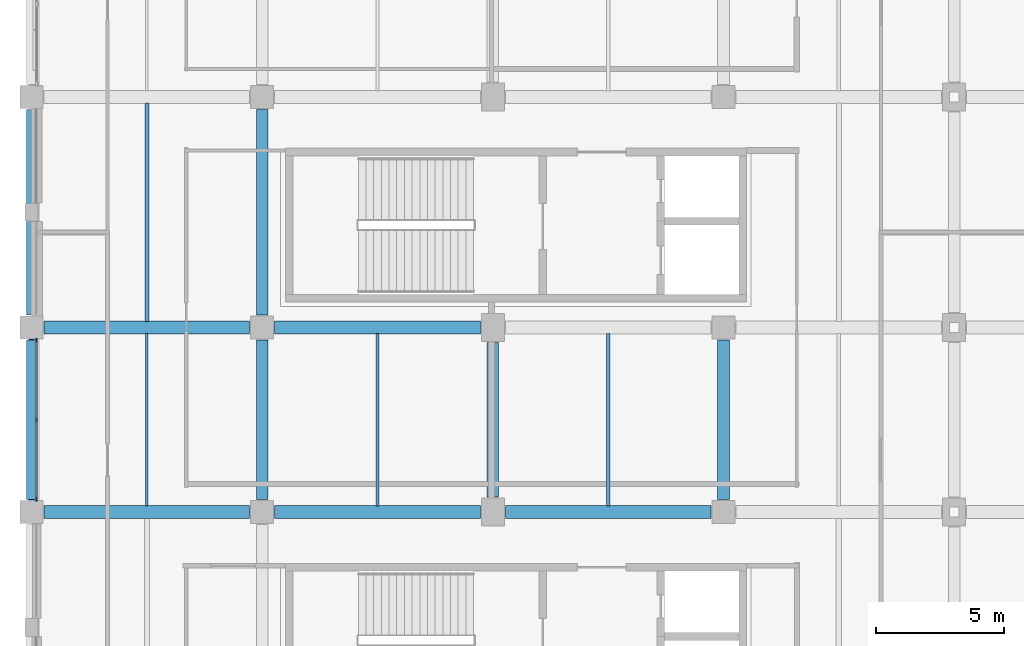
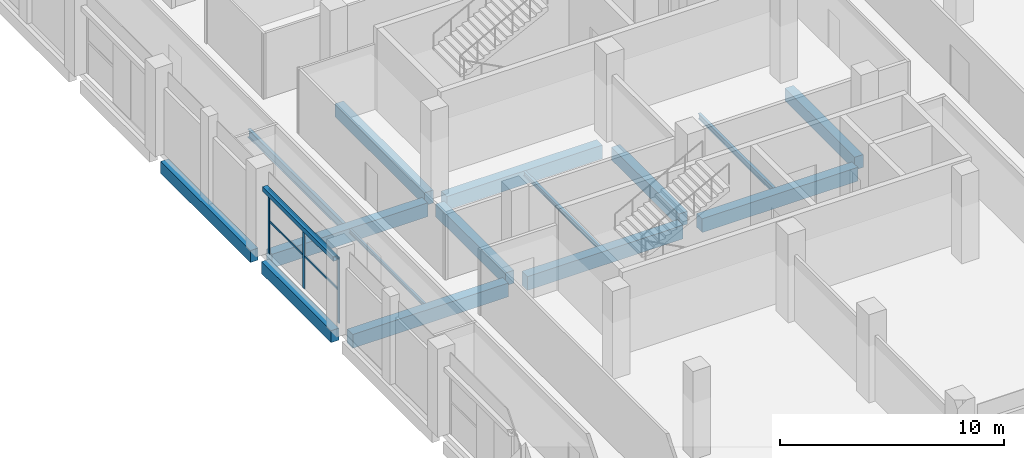
# One storey, part 9 of 82: 15 beams, 6 members, 1 element without a shape of its own.
"""IFC4 building model written with IfcOpenShell, lengths in metres."""

from ifc_helpers import new_model, si_unit, direction, frame, origin, origin_2d, place, context, subcontext, project, spatial, rectangle, hollow_rectangle, i_section, extrude, material, material_profile, profile_set, type_object, element, aggregate, save


model = new_model("IFC4")

# Units and contexts
model_context = context("Model", 3, precision=1e-05, world=origin(), true_north=direction((0.0, 1.0)))
body_context = subcontext(model_context, "Body", "Model", "MODEL_VIEW")
ifc_project = project(units=[si_unit("LENGTHUNIT", "METRE"), si_unit("AREAUNIT", "SQUARE_METRE"), si_unit("VOLUMEUNIT", "CUBIC_METRE"), si_unit("PLANEANGLEUNIT", "RADIAN"), si_unit("MASSUNIT", "GRAM", prefix="KILO"), si_unit("THERMODYNAMICTEMPERATUREUNIT", "KELVIN"), si_unit("POWERUNIT", "WATT")], contexts=[model_context])

# Site, building, storey
site_placement = place(None, origin())
site = spatial("IfcSite", under=ifc_project, at=site_placement, CompositionType="ELEMENT")
building_placement = place(site_placement, origin())
building = spatial("IfcBuilding", under=site, at=building_placement, Name="Sindhuravela Promenade Stadium", CompositionType="ELEMENT")
storey_placement = place(building_placement, frame((0.0, 0.0, 14.39990234375)))
storey = spatial("IfcBuildingStorey", under=building, at=storey_placement, Name="L03", CompositionType="ELEMENT", Elevation=14.39990234375)

# Curtain wall, members
ifc_material_1 = material(Name="Anodised architectural aluminium 6063-T6", Category="aluminium")
curtain_wall_type = type_object("IfcCurtainWallType", Name="CW-MOD-6", PredefinedType="NOTDEFINED", material=ifc_material_1)
curtain_wall_placement = place(storey_placement, origin())
curtain_wall = element("IfcCurtainWall", 1, at=curtain_wall_placement, inside=storey, type_object=curtain_wall_type, Name="Bronze curtain wall CW-WEST-L03-029", PredefinedType="NOTDEFINED")
ifc_material_profile_1 = material_profile(ifc_material_1, rectangle(XDim=0.054931640625, YDim=0.14990234375, at=origin_2d()), Name="ALU M55x150")
ifc_profile_set_1 = profile_set([ifc_material_profile_1], Name="Anodised architectural aluminium 6063-T6")
member_type_1 = type_object("IfcMemberType", Name="CW-MUL-6", PredefinedType="MULLION", material=ifc_profile_set_1)
member_1_placement = place(storey_placement, frame((0.199951171875, 61.699951171875, 0.0), z_axis=(0.0, 0.0, 1.0), x_axis=(1.0, 0.0, 0.0)))
member_1 = element("IfcMember", 2, at=member_1_placement, type_object=member_type_1, Name="Curtain wall mullion CW-WEST-L03-029-M1", PredefinedType="MULLION", context=body_context, shape_type="SweptSolid", body=[
    extrude(rectangle(XDim=0.054931640625, YDim=0.14990234375, at=origin_2d()), origin(), (0.0, 0.0, 1.0), 3.580078125),
])
member_2_placement = place(storey_placement, frame((0.199951171875, 64.800048828125, 0.0), z_axis=(0.0, 0.0, 1.0), x_axis=(1.0, 0.0, 0.0)))
member_2 = element("IfcMember", 3, at=member_2_placement, type_object=member_type_1, Name="Curtain wall mullion CW-WEST-L03-029-M2", PredefinedType="MULLION", context=body_context, shape_type="SweptSolid", body=[
    extrude(rectangle(XDim=0.054931640625, YDim=0.14990234375, at=origin_2d()), origin(), (0.0, 0.0, 1.0), 3.580078125),
])
member_3_placement = place(storey_placement, frame((0.199951171875, 67.89990234375, 0.0), z_axis=(0.0, 0.0, 1.0), x_axis=(1.0, 0.0, 0.0)))
member_3 = element("IfcMember", 4, at=member_3_placement, type_object=member_type_1, Name="Curtain wall mullion CW-WEST-L03-029-M3", PredefinedType="MULLION", context=body_context, shape_type="SweptSolid", body=[
    extrude(rectangle(XDim=0.054931640625, YDim=0.14990234375, at=origin_2d()), origin(), (0.0, 0.0, 1.0), 3.580078125),
])
ifc_material_profile_2 = material_profile(ifc_material_1, rectangle(XDim=0.054931640625, YDim=0.10498046875, at=origin_2d()), Name="ALU T55x105")
ifc_profile_set_2 = profile_set([ifc_material_profile_2], Name="Anodised architectural aluminium 6063-T6")
member_type_2 = type_object("IfcMemberType", Name="CW-TRN-6", PredefinedType="USERDEFINED", material=ifc_profile_set_2)
member_4_placement = place(storey_placement, frame((0.199951171875, 61.675048828125, 1.7900390625), z_axis=(0.0, 1.0, 0.0), x_axis=(-1.0, 0.0, 0.0)))
member_4 = element("IfcMember", 5, at=member_4_placement, type_object=member_type_2, Name="Curtain wall transom CW-WEST-L03-029-T1", ObjectType="TRANSOM", PredefinedType="USERDEFINED", context=body_context, shape_type="SweptSolid", body=[
    extrude(rectangle(XDim=0.054931640625, YDim=0.10498046875, at=origin_2d()), origin(), (0.0, 0.0, 1.0), 6.25),
])
member_5_placement = place(storey_placement, frame((0.199951171875, 61.675048828125, 3.5), z_axis=(0.0, 1.0, 0.0), x_axis=(-1.0, 0.0, 0.0)))
member_5 = element("IfcMember", 6, at=member_5_placement, type_object=member_type_2, Name="Curtain wall transom CW-WEST-L03-029-T2", ObjectType="TRANSOM", PredefinedType="USERDEFINED", context=body_context, shape_type="SweptSolid", body=[
    extrude(rectangle(XDim=0.054931640625, YDim=0.10498046875, at=origin_2d()), origin(), (0.0, 0.0, 1.0), 6.25),
])
aggregate(curtain_wall, [member_1, member_2, member_3, member_4, member_5])

# Beams
ifc_material_2 = material(Name="Concrete M40", Category="concrete")
ifc_material_profile_3 = material_profile(ifc_material_2, rectangle(XDim=0.39990234375, YDim=0.64990234375, at=origin_2d()), Name="RC 400x650")
ifc_profile_set_3 = profile_set([ifc_material_profile_3], Name="Concrete M40")
beam_type_1 = type_object("IfcBeamType", Name="RC-BM-400x650", PredefinedType="SPANDREL", material=ifc_profile_set_3)
beam_1_placement = place(storey_placement, frame((0.0, 61.68994140625, -0.625), z_axis=(0.0, 1.0, 0.0), x_axis=(-1.0, 0.0, 0.0)))
element("IfcBeam", 7, at=beam_1_placement, inside=storey, type_object=beam_type_1, Name="Primary beam SP01 WEST L03", PredefinedType="SPANDREL", context=body_context, shape_type="SweptSolid", body=[
    extrude(rectangle(XDim=0.39990234375, YDim=0.64990234375, at=origin_2d()), origin(), (0.0, 0.0, 1.0), 6.219970703125),
])
beam_2_placement = place(storey_placement, frame((0.0, 68.889892578125, -0.625), z_axis=(0.0, 1.0, 0.0), x_axis=(-1.0, 0.0, 0.0)))
element("IfcBeam", 8, at=beam_2_placement, inside=storey, type_object=beam_type_1, Name="Primary beam SP01 WEST L03", PredefinedType="SPANDREL", context=body_context, shape_type="SweptSolid", body=[
    extrude(rectangle(XDim=0.39990234375, YDim=0.64990234375, at=origin_2d()), origin(), (0.0, 0.0, 1.0), 8.02001953125),
])
ifc_material_profile_4 = material_profile(ifc_material_2, rectangle(XDim=0.449951171875, YDim=0.699951171875, at=origin_2d()), Name="RC 450x700")
ifc_profile_set_4 = profile_set([ifc_material_profile_4], Name="Concrete M40")
beam_type_2 = type_object("IfcBeamType", Name="RC-BM-450x700", PredefinedType="BEAM", material=ifc_profile_set_4)
beam_3_placement = place(storey_placement, frame((9.0, 61.68994140625, -0.64990234375), z_axis=(0.0, 1.0, 0.0), x_axis=(-1.0, 0.0, 0.0)))
element("IfcBeam", 9, at=beam_3_placement, inside=storey, type_object=beam_type_2, Name="Primary beam GB07 WEST L03", PredefinedType="BEAM", context=body_context, shape_type="SweptSolid", body=[
    extrude(rectangle(XDim=0.449951171875, YDim=0.699951171875, at=origin_2d()), origin(), (0.0, 0.0, 1.0), 6.219970703125),
])
beam_4_placement = place(storey_placement, frame((9.0, 68.889892578125, -0.64990234375), z_axis=(0.0, 1.0, 0.0), x_axis=(-1.0, 0.0, 0.0)))
element("IfcBeam", 10, at=beam_4_placement, inside=storey, type_object=beam_type_2, Name="Primary beam GB07 WEST L03", PredefinedType="BEAM", context=body_context, shape_type="SweptSolid", body=[
    extrude(rectangle(XDim=0.449951171875, YDim=0.699951171875, at=origin_2d()), origin(), (0.0, 0.0, 1.0), 8.02001953125),
])
beam_5_placement = place(storey_placement, frame((18.0, 61.7900390625, -0.64990234375), z_axis=(0.0, 1.0, 0.0), x_axis=(-1.0, 0.0, 0.0)))
element("IfcBeam", 11, at=beam_5_placement, inside=storey, type_object=beam_type_2, Name="Primary beam GB07 WEST L03", PredefinedType="BEAM", context=body_context, shape_type="SweptSolid", body=[
    extrude(rectangle(XDim=0.449951171875, YDim=0.699951171875, at=origin_2d()), origin(), (0.0, 0.0, 1.0), 6.02001953125),
])
beam_6_placement = place(storey_placement, frame((27.0, 61.68994140625, -0.64990234375), z_axis=(0.0, 1.0, 0.0), x_axis=(-1.0, 0.0, 0.0)))
element("IfcBeam", 12, at=beam_6_placement, inside=storey, type_object=beam_type_2, Name="Primary beam GB07 WEST L03", PredefinedType="BEAM", context=body_context, shape_type="SweptSolid", body=[
    extrude(rectangle(XDim=0.449951171875, YDim=0.699951171875, at=origin_2d()), origin(), (0.0, 0.0, 1.0), 6.219970703125),
])
ifc_material_profile_5 = material_profile(ifc_material_2, rectangle(XDim=0.5, YDim=0.75, at=origin_2d()), Name="RC 500x750")
ifc_profile_set_5 = profile_set([ifc_material_profile_5], Name="Concrete M40")
beam_type_3 = type_object("IfcBeamType", Name="RC-BM-500x750", PredefinedType="BEAM", material=ifc_profile_set_5)
for number, where, z_axis, x_axis, name in (
    (13, (0.489990234375, 61.199951171875, -0.6748046875), (1.0, 0.0, 0.0), (0.0, 1.0, 0.0), "Primary girder GB06 WEST L03"),
    (14, (9.489990234375, 61.199951171875, -0.6748046875), (1.0, 0.0, 0.0), (0.0, 1.0, 0.0), "Primary girder GB06 WEST L03"),
    (15, (18.489990234375, 61.199951171875, -0.6748046875), (1.0, 0.0, 0.0), (0.0, 1.0, 0.0), "Primary girder GB06 WEST L03"),
    (16, (0.489990234375, 68.39990234375, -0.6748046875), (1.0, 0.0, 0.0), (0.0, 1.0, 0.0), "Primary girder GB06 WEST L03"),
    (17, (9.489990234375, 68.39990234375, -0.6748046875), (1.0, 0.0, 0.0), (0.0, 1.0, 0.0), "Primary girder GB06 WEST L03"),
):
    element("IfcBeam", number, at=place(storey_placement, frame(where, z_axis=z_axis, x_axis=x_axis)), inside=storey, type_object=beam_type_3, Name=name, PredefinedType="BEAM", context=body_context, shape_type="SweptSolid", body=[
        extrude(rectangle(XDim=0.5, YDim=0.75, at=origin_2d()), origin(), (0.0, 0.0, 1.0), 8.02001953125),
    ])
ifc_material_3 = material(Name="Steel E350 (IS 2062 E350BR)", Category="steel")
ifc_material_profile_6 = material_profile(ifc_material_3, i_section(OverallWidth=0.10009765625, OverallDepth=0.199951171875, WebThickness=0.005615234375, FlangeThickness=0.0107421875, FilletRadius=0.010986328125, at=origin_2d()), Name="ISMB 200")
ifc_profile_set_6 = profile_set([ifc_material_profile_6], Name="Steel E350 (IS 2062 E350BR)")
beam_type_4 = type_object("IfcBeamType", Name="ST-BM-MB200", PredefinedType="JOIST", material=ifc_profile_set_6)
beam_7_placement = place(storey_placement, frame((4.5, 61.43994140625, -0.39990234375), z_axis=(0.0, 1.0, 0.0), x_axis=(-1.0, 0.0, 0.0)))
element("IfcBeam", 18, at=beam_7_placement, inside=storey, type_object=beam_type_4, Name="Secondary floor joist SB01 WEST L03", PredefinedType="JOIST", context=body_context, shape_type="SweptSolid", body=[
    extrude(i_section(OverallWidth=0.10009765625, OverallDepth=0.199951171875, WebThickness=0.005615234375, FlangeThickness=0.0107421875, FilletRadius=0.010986328125, at=origin_2d()), origin(), (0.0, 0.0, 1.0), 6.719970703125),
])
ifc_material_profile_7 = material_profile(ifc_material_3, i_section(OverallWidth=0.125, OverallDepth=0.25, WebThickness=0.0068359375, FlangeThickness=0.012451171875, FilletRadius=0.012939453125, at=origin_2d()), Name="ISMB 250")
ifc_profile_set_7 = profile_set([ifc_material_profile_7], Name="Steel E350 (IS 2062 E350BR)")
beam_type_5 = type_object("IfcBeamType", Name="ST-BM-MB250", PredefinedType="JOIST", material=ifc_profile_set_7)
beam_8_placement = place(storey_placement, frame((13.5, 61.43994140625, -0.4248046875), z_axis=(0.0, 1.0, 0.0), x_axis=(-1.0, 0.0, 0.0)))
element("IfcBeam", 19, at=beam_8_placement, inside=storey, type_object=beam_type_5, Name="Secondary floor joist SB02 WEST L03", PredefinedType="JOIST", context=body_context, shape_type="SweptSolid", body=[
    extrude(i_section(OverallWidth=0.125, OverallDepth=0.25, WebThickness=0.0068359375, FlangeThickness=0.012451171875, FilletRadius=0.012939453125, at=origin_2d()), origin(), (0.0, 0.0, 1.0), 6.719970703125),
])
ifc_material_profile_8 = material_profile(ifc_material_3, i_section(OverallWidth=0.139892578125, OverallDepth=0.300048828125, WebThickness=0.0078125, FlangeThickness=0.01318359375, FilletRadius=0.013916015625, at=origin_2d()), Name="ISMB 300")
ifc_profile_set_8 = profile_set([ifc_material_profile_8], Name="Steel E350 (IS 2062 E350BR)")
beam_type_6 = type_object("IfcBeamType", Name="ST-BM-MB300", PredefinedType="JOIST", material=ifc_profile_set_8)
beam_9_placement = place(storey_placement, frame((22.5, 61.43994140625, -0.449951171875), z_axis=(0.0, 1.0, 0.0), x_axis=(-1.0, 0.0, 0.0)))
element("IfcBeam", 20, at=beam_9_placement, inside=storey, type_object=beam_type_6, Name="Secondary floor joist SB03 WEST L03", PredefinedType="JOIST", context=body_context, shape_type="SweptSolid", body=[
    extrude(i_section(OverallWidth=0.139892578125, OverallDepth=0.300048828125, WebThickness=0.0078125, FlangeThickness=0.01318359375, FilletRadius=0.013916015625, at=origin_2d()), origin(), (0.0, 0.0, 1.0), 6.719970703125),
])
ifc_material_profile_9 = material_profile(ifc_material_3, i_section(OverallWidth=0.14990234375, OverallDepth=0.449951171875, WebThickness=0.009521484375, FlangeThickness=0.017333984375, FilletRadius=0.014892578125, at=origin_2d()), Name="ISMB 450")
ifc_profile_set_9 = profile_set([ifc_material_profile_9], Name="Steel E350 (IS 2062 E350BR)")
beam_type_7 = type_object("IfcBeamType", Name="ST-BM-MB450", PredefinedType="BEAM", material=ifc_profile_set_9)
beam_10_placement = place(storey_placement, frame((4.5, 68.639892578125, -0.52490234375), z_axis=(0.0, 1.0, 0.0), x_axis=(-1.0, 0.0, 0.0)))
element("IfcBeam", 21, at=beam_10_placement, inside=storey, type_object=beam_type_7, Name="Secondary floor joist SB06 WEST L03", PredefinedType="BEAM", context=body_context, shape_type="SweptSolid", body=[
    extrude(i_section(OverallWidth=0.14990234375, OverallDepth=0.449951171875, WebThickness=0.009521484375, FlangeThickness=0.017333984375, FilletRadius=0.014892578125, at=origin_2d()), origin(), (0.0, 0.0, 1.0), 8.52001953125),
])

# Member
ifc_material_profile_10 = material_profile(ifc_material_3, hollow_rectangle(XDim=0.25, YDim=0.25, WallThickness=0.011962890625, at=origin_2d()), Name="SHS 250x250x12")
ifc_profile_set_10 = profile_set([ifc_material_profile_10], Name="Steel E350 (IS 2062 E350BR)")
member_type_3 = type_object("IfcMemberType", Name="ST-MB-SHS250", PredefinedType="CHORD", material=ifc_profile_set_10)
member_6_placement = place(storey_placement, frame((0.0, 61.64208984375, 3.60009765625), z_axis=(0.0, 1.0, 0.0), x_axis=(-1.0, 0.0, 0.0)))
element("IfcMember", 22, at=member_6_placement, inside=storey, type_object=member_type_3, Name="Portal tie member MC01-8", PredefinedType="CHORD", context=body_context, shape_type="SweptSolid", body=[
    extrude(hollow_rectangle(XDim=0.25, YDim=0.25, WallThickness=0.011962890625, at=origin_2d()), origin(), (0.0, 0.0, 1.0), 6.31591796875),
])

save(model, "model.ifc")
